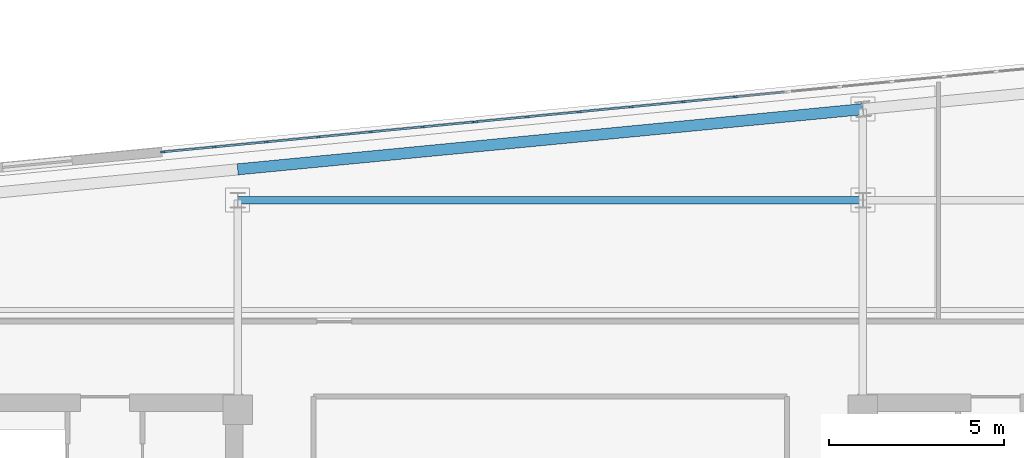
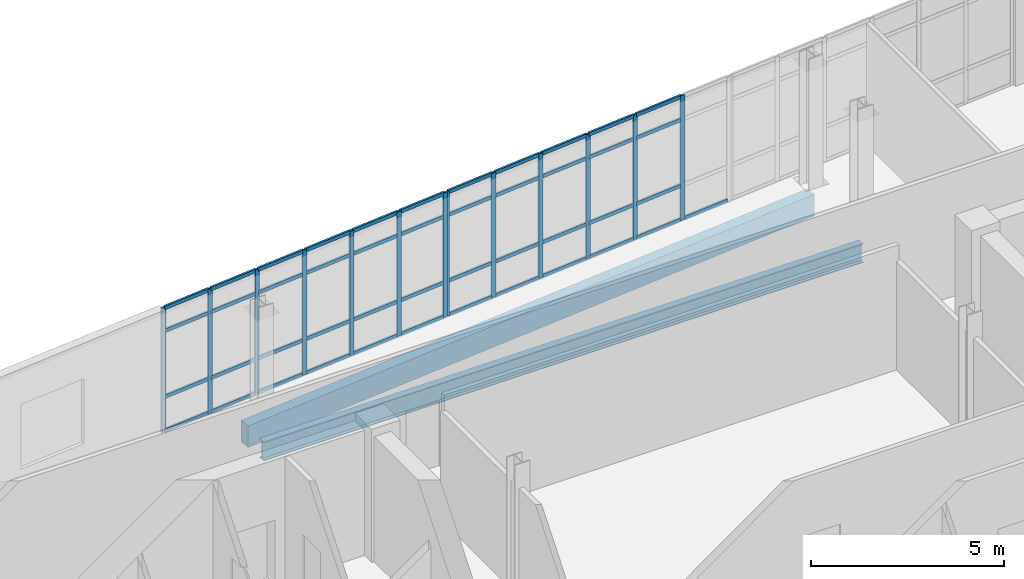
# One storey, part 3 of 11: 58 members, 2 beams, 2 elements without a shape of their own.
"""IFC4 building model written with IfcOpenShell, lengths in metres."""

from ifc_helpers import new_model, si_unit, direction, frame, origin, origin_2d, place, context, subcontext, project, spatial, rectangle, i_section, extrude, material, layer, layer_set, material_profile, profile_set, type_object, element, aggregate, save


model = new_model("IFC4")

# Units and contexts
model_context = context("Model", 3, precision=1e-05, world=origin(), true_north=direction((0.0, 1.0)))
body_context = subcontext(model_context, "Body", "Model", "MODEL_VIEW")
ifc_project = project(units=[si_unit("LENGTHUNIT", "METRE"), si_unit("AREAUNIT", "SQUARE_METRE"), si_unit("VOLUMEUNIT", "CUBIC_METRE"), si_unit("PLANEANGLEUNIT", "RADIAN"), si_unit("MASSUNIT", "GRAM", prefix="KILO")], contexts=[model_context])

# Site, building, storey
site_placement = place(None, origin())
site = spatial("IfcSite", under=ifc_project, at=site_placement, CompositionType="ELEMENT")
building_placement = place(site_placement, origin())
building = spatial("IfcBuilding", under=site, at=building_placement, Name="Velakula Bourse", CompositionType="ELEMENT")
storey_placement = place(building_placement, frame((0.0, 0.0, 282.75)))
storey = spatial("IfcBuildingStorey", under=building, at=storey_placement, Name="L77", CompositionType="ELEMENT", Elevation=282.75)

# Beam
ifc_material_1 = material(Name="Steel IS 2062 Grade 350 (E350)", Category="steel")
ifc_material_profile_1 = material_profile(ifc_material_1, i_section(OverallWidth=0.2099609375, OverallDepth=0.60009765625, WebThickness=0.011962890625, FlangeThickness=0.020751953125, at=origin_2d()), Name="Steel IS 2062 Grade 350 (E350)")
ifc_profile_set_1 = profile_set([ifc_material_profile_1], Name="Steel IS 2062 Grade 350 (E350)")
beam_type_1 = type_object("IfcBeamType", Name="BM-GRD-600L", PredefinedType="BEAM", material=ifc_profile_set_1)
beam_1_placement = place(storey_placement, frame((-8.949951171875, 14.60009765625, -0.47998046875), z_axis=(1.0, 0.0, 0.0), x_axis=(0.0, 1.0, 0.0)))
element("IfcBeam", 1, at=beam_1_placement, inside=storey, type_object=beam_type_1, Name="L77 Fulcrum Grid Girder FLC-N2", PredefinedType="BEAM", context=body_context, shape_type="SweptSolid", body=[
    extrude(i_section(OverallWidth=0.2099609375, OverallDepth=0.60009765625, WebThickness=0.011962890625, FlangeThickness=0.020751953125, at=origin_2d()), origin(), (0.0, 0.0, 1.0), 17.89990234375),
])

# Curtain wall, members
ifc_material_2 = material(Name="Anodised bronze architectural aluminium", Category="aluminium")
ifc_layer = layer(ifc_material_2, 0.1298828125, Name="Anodised bronze architectural aluminium", Category="aluminium")
ifc_layer_set = layer_set([ifc_layer], Name="Anodised bronze architectural aluminium")
curtain_wall_type = type_object("IfcCurtainWallType", Name="CW-OB1", PredefinedType="NOTDEFINED", material=ifc_layer_set)
curtain_wall_1_placement = place(storey_placement, origin())
curtain_wall_1 = element("IfcCurtainWall", 2, at=curtain_wall_1_placement, inside=storey, type_object=curtain_wall_type, Name="L77 Public Observation Panoramic Curtain Wall B2", PredefinedType="NOTDEFINED")
ifc_material_profile_2 = material_profile(ifc_material_2, rectangle(XDim=0.06005859375, YDim=0.1298828125, at=origin_2d()), Name="Anodised bronze architectural aluminium")
ifc_profile_set_2 = profile_set([ifc_material_profile_2], Name="Anodised bronze architectural aluminium")
member_type_1 = type_object("IfcMemberType", Name="MUL-CW-OB1", PredefinedType="MULLION", material=ifc_profile_set_2)
member_1_placement = place(storey_placement, frame((-11.090087890625, 15.978271484375, 0.0), z_axis=(0.0, 0.0, 1.0), x_axis=(-0.095845153814, 0.995396256016, 0.0)))
member_1 = element("IfcMember", 3, at=member_1_placement, type_object=member_type_1, Name="CW-OB1 mullion 1", PredefinedType="MULLION", context=body_context, shape_type="SweptSolid", body=[
    extrude(rectangle(XDim=0.06005859375, YDim=0.1298828125, at=origin_2d()), origin(), (0.0, 0.0, 1.0), 3.929931640625),
])
member_2_placement = place(storey_placement, frame((-9.626708984375, 16.119140625, 0.0), z_axis=(0.0, 0.0, 1.0), x_axis=(-0.095845153814, 0.995396256016, 0.0)))
member_2 = element("IfcMember", 4, at=member_2_placement, type_object=member_type_1, Name="CW-OB1 mullion 2", PredefinedType="MULLION", context=body_context, shape_type="SweptSolid", body=[
    extrude(rectangle(XDim=0.06005859375, YDim=0.1298828125, at=origin_2d()), origin(), (0.0, 0.0, 1.0), 3.929931640625),
])
member_3_placement = place(storey_placement, frame((-8.1337890625, 16.262939453125, 0.0), z_axis=(0.0, 0.0, 1.0), x_axis=(-0.095845153814, 0.995396256016, 0.0)))
member_3 = element("IfcMember", 5, at=member_3_placement, type_object=member_type_1, Name="CW-OB1 mullion 3", PredefinedType="MULLION", context=body_context, shape_type="SweptSolid", body=[
    extrude(rectangle(XDim=0.06005859375, YDim=0.1298828125, at=origin_2d()), origin(), (0.0, 0.0, 1.0), 3.929931640625),
])
member_4_placement = place(storey_placement, frame((-6.640625, 16.406494140625, 0.0), z_axis=(0.0, 0.0, 1.0), x_axis=(-0.095845153814, 0.995396256016, 0.0)))
member_4 = element("IfcMember", 6, at=member_4_placement, type_object=member_type_1, Name="CW-OB1 mullion 4", PredefinedType="MULLION", context=body_context, shape_type="SweptSolid", body=[
    extrude(rectangle(XDim=0.06005859375, YDim=0.1298828125, at=origin_2d()), origin(), (0.0, 0.0, 1.0), 3.929931640625),
])
member_5_placement = place(storey_placement, frame((-5.1474609375, 16.55029296875, 0.0), z_axis=(0.0, 0.0, 1.0), x_axis=(-0.095845153814, 0.995396256016, 0.0)))
member_5 = element("IfcMember", 7, at=member_5_placement, type_object=member_type_1, Name="CW-OB1 mullion 5", PredefinedType="MULLION", context=body_context, shape_type="SweptSolid", body=[
    extrude(rectangle(XDim=0.06005859375, YDim=0.1298828125, at=origin_2d()), origin(), (0.0, 0.0, 1.0), 3.929931640625),
])
member_6_placement = place(storey_placement, frame((-3.654541015625, 16.694091796875, 0.0), z_axis=(0.0, 0.0, 1.0), x_axis=(-0.095845153814, 0.995396256016, 0.0)))
member_6 = element("IfcMember", 8, at=member_6_placement, type_object=member_type_1, Name="CW-OB1 mullion 6", PredefinedType="MULLION", context=body_context, shape_type="SweptSolid", body=[
    extrude(rectangle(XDim=0.06005859375, YDim=0.1298828125, at=origin_2d()), origin(), (0.0, 0.0, 1.0), 3.929931640625),
])
member_7_placement = place(storey_placement, frame((-2.191162109375, 16.8349609375, 0.0), z_axis=(0.0, 0.0, 1.0), x_axis=(-0.095845153814, 0.995396256016, 0.0)))
member_7 = element("IfcMember", 9, at=member_7_placement, type_object=member_type_1, Name="CW-OB1 mullion 7", PredefinedType="MULLION", context=body_context, shape_type="SweptSolid", body=[
    extrude(rectangle(XDim=0.06005859375, YDim=0.1298828125, at=origin_2d()), origin(), (0.0, 0.0, 1.0), 3.929931640625),
])

curtain_wall_2_placement = place(storey_placement, origin())
curtain_wall_2 = element("IfcCurtainWall", 10, at=curtain_wall_2_placement, inside=storey, type_object=curtain_wall_type, Name="L77 Public Observation Panoramic Curtain Wall B3", PredefinedType="NOTDEFINED")
member_8_placement = place(storey_placement, frame((-2.131591796875, 16.8408203125, 0.0), z_axis=(0.0, 0.0, 1.0), x_axis=(-0.095844093769, 0.995396358085, 0.0)))
member_8 = element("IfcMember", 11, at=member_8_placement, type_object=member_type_1, Name="CW-OB1 mullion 1", PredefinedType="MULLION", context=body_context, shape_type="SweptSolid", body=[
    extrude(rectangle(XDim=0.06005859375, YDim=0.1298828125, at=origin_2d()), origin(), (0.0, 0.0, 1.0), 3.929931640625),
])
member_9_placement = place(storey_placement, frame((-0.668212890625, 16.981689453125, 0.0), z_axis=(0.0, 0.0, 1.0), x_axis=(-0.095844093769, 0.995396358085, 0.0)))
member_9 = element("IfcMember", 12, at=member_9_placement, type_object=member_type_1, Name="CW-OB1 mullion 2", PredefinedType="MULLION", context=body_context, shape_type="SweptSolid", body=[
    extrude(rectangle(XDim=0.06005859375, YDim=0.1298828125, at=origin_2d()), origin(), (0.0, 0.0, 1.0), 3.929931640625),
])
member_10_placement = place(storey_placement, frame((0.82470703125, 17.12548828125, 0.0), z_axis=(0.0, 0.0, 1.0), x_axis=(-0.095844093769, 0.995396358085, 0.0)))
member_10 = element("IfcMember", 13, at=member_10_placement, type_object=member_type_1, Name="CW-OB1 mullion 3", PredefinedType="MULLION", context=body_context, shape_type="SweptSolid", body=[
    extrude(rectangle(XDim=0.06005859375, YDim=0.1298828125, at=origin_2d()), origin(), (0.0, 0.0, 1.0), 3.929931640625),
])
member_11_placement = place(storey_placement, frame((2.31787109375, 17.269287109375, 0.0), z_axis=(0.0, 0.0, 1.0), x_axis=(-0.095844093769, 0.995396358085, 0.0)))
member_11 = element("IfcMember", 14, at=member_11_placement, type_object=member_type_1, Name="CW-OB1 mullion 4", PredefinedType="MULLION", context=body_context, shape_type="SweptSolid", body=[
    extrude(rectangle(XDim=0.06005859375, YDim=0.1298828125, at=origin_2d()), origin(), (0.0, 0.0, 1.0), 3.929931640625),
])
member_12_placement = place(storey_placement, frame((3.81103515625, 17.4130859375, 0.0), z_axis=(0.0, 0.0, 1.0), x_axis=(-0.095844093769, 0.995396358085, 0.0)))
member_12 = element("IfcMember", 15, at=member_12_placement, type_object=member_type_1, Name="CW-OB1 mullion 5", PredefinedType="MULLION", context=body_context, shape_type="SweptSolid", body=[
    extrude(rectangle(XDim=0.06005859375, YDim=0.1298828125, at=origin_2d()), origin(), (0.0, 0.0, 1.0), 3.929931640625),
])
member_13_placement = place(storey_placement, frame((5.30419921875, 17.556640625, 0.0), z_axis=(0.0, 0.0, 1.0), x_axis=(-0.095844093769, 0.995396358085, 0.0)))
member_13 = element("IfcMember", 16, at=member_13_placement, type_object=member_type_1, Name="CW-OB1 mullion 6", PredefinedType="MULLION", context=body_context, shape_type="SweptSolid", body=[
    extrude(rectangle(XDim=0.06005859375, YDim=0.1298828125, at=origin_2d()), origin(), (0.0, 0.0, 1.0), 3.929931640625),
])

# Beam
ifc_material_3 = material(Name="Precast concrete M45 (fck 45 MPa)", Category="concrete")
ifc_material_profile_3 = material_profile(ifc_material_3, rectangle(XDim=0.320068359375, YDim=0.679931640625, at=origin_2d()), Name="Precast concrete M45 (fck 45 MPa)")
ifc_profile_set_3 = profile_set([ifc_material_profile_3], Name="Precast concrete M45 (fck 45 MPa)")
beam_type_2 = type_object("IfcBeamType", Name="SPN-BRICK-680", PredefinedType="SPANDREL", material=ifc_profile_set_3)
beam_2_placement = place(storey_placement, frame((-8.949951171875, 15.48095703125, -0.52001953125), z_axis=(0.995395836254, 0.095849513134, 0.0), x_axis=(-0.095849513134, 0.995395836254, 0.0)))
element("IfcBeam", 17, at=beam_2_placement, inside=storey, type_object=beam_type_2, Name="L77 Brick-Faced Precast Spandrel N2-N3", PredefinedType="SPANDREL", context=body_context, shape_type="SweptSolid", body=[
    extrude(rectangle(XDim=0.320068359375, YDim=0.679931640625, at=origin_2d()), origin(), (0.0, 0.0, 1.0), 17.982666015625),
])

# Member
ifc_material_profile_4 = material_profile(ifc_material_2, rectangle(XDim=0.06005859375, YDim=0.114990234375, at=origin_2d()), Name="Anodised bronze architectural aluminium")
ifc_profile_set_4 = profile_set([ifc_material_profile_4], Name="Anodised bronze architectural aluminium")
member_type_2 = type_object("IfcMemberType", Name="TRN-CW-OB1", PredefinedType="USERDEFINED", material=ifc_profile_set_4)
member_14_placement = place(storey_placement, frame((-11.06005859375, 15.98095703125, 0.030029296875), z_axis=(0.995387428813, 0.095936784197, 0.0), x_axis=(-0.095936784197, 0.995387428813, 0.0)))
member_14 = element("IfcMember", 18, at=member_14_placement, type_object=member_type_2, Name="CW-OB1 transom 1.1", ObjectType="TRANSOM", PredefinedType="USERDEFINED", context=body_context, shape_type="SweptSolid", body=[
    extrude(rectangle(XDim=0.06005859375, YDim=0.114990234375, at=origin_2d()), origin(), (0.0, 0.0, 1.0), 1.409912109375),
])

member_15_placement = place(storey_placement, frame((-11.06005859375, 15.98095703125, 1.10009765625), z_axis=(0.995387428813, 0.095936784197, 0.0), x_axis=(-0.095936784197, 0.995387428813, 0.0)))
member_15 = element("IfcMember", 19, at=member_15_placement, type_object=member_type_2, Name="CW-OB1 transom 1.2", ObjectType="TRANSOM", PredefinedType="USERDEFINED", context=body_context, shape_type="SweptSolid", body=[
    extrude(rectangle(XDim=0.06005859375, YDim=0.114990234375, at=origin_2d()), origin(), (0.0, 0.0, 1.0), 1.409912109375),
])

member_16_placement = place(storey_placement, frame((-11.06005859375, 15.98095703125, 3.179931640625), z_axis=(0.995387428813, 0.095936784197, 0.0), x_axis=(-0.095936784197, 0.995387428813, 0.0)))
member_16 = element("IfcMember", 20, at=member_16_placement, type_object=member_type_2, Name="CW-OB1 transom 1.3", ObjectType="TRANSOM", PredefinedType="USERDEFINED", context=body_context, shape_type="SweptSolid", body=[
    extrude(rectangle(XDim=0.06005859375, YDim=0.114990234375, at=origin_2d()), origin(), (0.0, 0.0, 1.0), 1.409912109375),
])

member_17_placement = place(storey_placement, frame((-11.06005859375, 15.98095703125, 3.89990234375), z_axis=(0.995387428813, 0.095936784197, 0.0), x_axis=(-0.095936784197, 0.995387428813, 0.0)))
member_17 = element("IfcMember", 21, at=member_17_placement, type_object=member_type_2, Name="CW-OB1 transom 1.4", ObjectType="TRANSOM", PredefinedType="USERDEFINED", context=body_context, shape_type="SweptSolid", body=[
    extrude(rectangle(XDim=0.06005859375, YDim=0.114990234375, at=origin_2d()), origin(), (0.0, 0.0, 1.0), 1.409912109375),
])

member_18_placement = place(storey_placement, frame((-9.596923828125, 16.121826171875, 0.030029296875), z_axis=(0.995385079392, 0.095961157373, 0.0), x_axis=(-0.095961157373, 0.995385079392, 0.0)))
member_18 = element("IfcMember", 22, at=member_18_placement, type_object=member_type_2, Name="CW-OB1 transom 2.1", ObjectType="TRANSOM", PredefinedType="USERDEFINED", context=body_context, shape_type="SweptSolid", body=[
    extrude(rectangle(XDim=0.06005859375, YDim=0.114990234375, at=origin_2d()), origin(), (0.0, 0.0, 1.0), 1.43994140625),
])

member_19_placement = place(storey_placement, frame((-9.596923828125, 16.121826171875, 1.10009765625), z_axis=(0.995385079392, 0.095961157373, 0.0), x_axis=(-0.095961157373, 0.995385079392, 0.0)))
member_19 = element("IfcMember", 23, at=member_19_placement, type_object=member_type_2, Name="CW-OB1 transom 2.2", ObjectType="TRANSOM", PredefinedType="USERDEFINED", context=body_context, shape_type="SweptSolid", body=[
    extrude(rectangle(XDim=0.06005859375, YDim=0.114990234375, at=origin_2d()), origin(), (0.0, 0.0, 1.0), 1.43994140625),
])

member_20_placement = place(storey_placement, frame((-9.596923828125, 16.121826171875, 3.179931640625), z_axis=(0.995385079392, 0.095961157373, 0.0), x_axis=(-0.095961157373, 0.995385079392, 0.0)))
member_20 = element("IfcMember", 24, at=member_20_placement, type_object=member_type_2, Name="CW-OB1 transom 2.3", ObjectType="TRANSOM", PredefinedType="USERDEFINED", context=body_context, shape_type="SweptSolid", body=[
    extrude(rectangle(XDim=0.06005859375, YDim=0.114990234375, at=origin_2d()), origin(), (0.0, 0.0, 1.0), 1.43994140625),
])

member_21_placement = place(storey_placement, frame((-9.596923828125, 16.121826171875, 3.89990234375), z_axis=(0.995385079392, 0.095961157373, 0.0), x_axis=(-0.095961157373, 0.995385079392, 0.0)))
member_21 = element("IfcMember", 25, at=member_21_placement, type_object=member_type_2, Name="CW-OB1 transom 2.4", ObjectType="TRANSOM", PredefinedType="USERDEFINED", context=body_context, shape_type="SweptSolid", body=[
    extrude(rectangle(XDim=0.06005859375, YDim=0.114990234375, at=origin_2d()), origin(), (0.0, 0.0, 1.0), 1.43994140625),
])

member_22_placement = place(storey_placement, frame((-8.103759765625, 16.265625, 0.030029296875), z_axis=(0.995385079392, 0.095961157373, 0.0), x_axis=(-0.095961157373, 0.995385079392, 0.0)))
member_22 = element("IfcMember", 26, at=member_22_placement, type_object=member_type_2, Name="CW-OB1 transom 3.1", ObjectType="TRANSOM", PredefinedType="USERDEFINED", context=body_context, shape_type="SweptSolid", body=[
    extrude(rectangle(XDim=0.06005859375, YDim=0.114990234375, at=origin_2d()), origin(), (0.0, 0.0, 1.0), 1.43994140625),
])

member_23_placement = place(storey_placement, frame((-8.103759765625, 16.265625, 1.10009765625), z_axis=(0.995385079392, 0.095961157373, 0.0), x_axis=(-0.095961157373, 0.995385079392, 0.0)))
member_23 = element("IfcMember", 27, at=member_23_placement, type_object=member_type_2, Name="CW-OB1 transom 3.2", ObjectType="TRANSOM", PredefinedType="USERDEFINED", context=body_context, shape_type="SweptSolid", body=[
    extrude(rectangle(XDim=0.06005859375, YDim=0.114990234375, at=origin_2d()), origin(), (0.0, 0.0, 1.0), 1.43994140625),
])

member_24_placement = place(storey_placement, frame((-8.103759765625, 16.265625, 3.179931640625), z_axis=(0.995385079392, 0.095961157373, 0.0), x_axis=(-0.095961157373, 0.995385079392, 0.0)))
member_24 = element("IfcMember", 28, at=member_24_placement, type_object=member_type_2, Name="CW-OB1 transom 3.3", ObjectType="TRANSOM", PredefinedType="USERDEFINED", context=body_context, shape_type="SweptSolid", body=[
    extrude(rectangle(XDim=0.06005859375, YDim=0.114990234375, at=origin_2d()), origin(), (0.0, 0.0, 1.0), 1.43994140625),
])

member_25_placement = place(storey_placement, frame((-8.103759765625, 16.265625, 3.89990234375), z_axis=(0.995385079392, 0.095961157373, 0.0), x_axis=(-0.095961157373, 0.995385079392, 0.0)))
member_25 = element("IfcMember", 29, at=member_25_placement, type_object=member_type_2, Name="CW-OB1 transom 3.4", ObjectType="TRANSOM", PredefinedType="USERDEFINED", context=body_context, shape_type="SweptSolid", body=[
    extrude(rectangle(XDim=0.06005859375, YDim=0.114990234375, at=origin_2d()), origin(), (0.0, 0.0, 1.0), 1.43994140625),
])

member_26_placement = place(storey_placement, frame((-6.61083984375, 16.409423828125, 0.030029296875), z_axis=(0.995385079392, 0.095961157373, 0.0), x_axis=(-0.095961157373, 0.995385079392, 0.0)))
member_26 = element("IfcMember", 30, at=member_26_placement, type_object=member_type_2, Name="CW-OB1 transom 4.1", ObjectType="TRANSOM", PredefinedType="USERDEFINED", context=body_context, shape_type="SweptSolid", body=[
    extrude(rectangle(XDim=0.06005859375, YDim=0.114990234375, at=origin_2d()), origin(), (0.0, 0.0, 1.0), 1.43994140625),
])

member_27_placement = place(storey_placement, frame((-6.61083984375, 16.409423828125, 1.10009765625), z_axis=(0.995385079392, 0.095961157373, 0.0), x_axis=(-0.095961157373, 0.995385079392, 0.0)))
member_27 = element("IfcMember", 31, at=member_27_placement, type_object=member_type_2, Name="CW-OB1 transom 4.2", ObjectType="TRANSOM", PredefinedType="USERDEFINED", context=body_context, shape_type="SweptSolid", body=[
    extrude(rectangle(XDim=0.06005859375, YDim=0.114990234375, at=origin_2d()), origin(), (0.0, 0.0, 1.0), 1.43994140625),
])

member_28_placement = place(storey_placement, frame((-6.61083984375, 16.409423828125, 3.179931640625), z_axis=(0.995385079392, 0.095961157373, 0.0), x_axis=(-0.095961157373, 0.995385079392, 0.0)))
member_28 = element("IfcMember", 32, at=member_28_placement, type_object=member_type_2, Name="CW-OB1 transom 4.3", ObjectType="TRANSOM", PredefinedType="USERDEFINED", context=body_context, shape_type="SweptSolid", body=[
    extrude(rectangle(XDim=0.06005859375, YDim=0.114990234375, at=origin_2d()), origin(), (0.0, 0.0, 1.0), 1.43994140625),
])

member_29_placement = place(storey_placement, frame((-6.61083984375, 16.409423828125, 3.89990234375), z_axis=(0.995385079392, 0.095961157373, 0.0), x_axis=(-0.095961157373, 0.995385079392, 0.0)))
member_29 = element("IfcMember", 33, at=member_29_placement, type_object=member_type_2, Name="CW-OB1 transom 4.4", ObjectType="TRANSOM", PredefinedType="USERDEFINED", context=body_context, shape_type="SweptSolid", body=[
    extrude(rectangle(XDim=0.06005859375, YDim=0.114990234375, at=origin_2d()), origin(), (0.0, 0.0, 1.0), 1.43994140625),
])

member_30_placement = place(storey_placement, frame((-5.11767578125, 16.55322265625, 0.030029296875), z_axis=(0.99540125991, 0.095793171836, 0.0), x_axis=(-0.095793171836, 0.99540125991, 0.0)))
member_30 = element("IfcMember", 34, at=member_30_placement, type_object=member_type_2, Name="CW-OB1 transom 5.1", ObjectType="TRANSOM", PredefinedType="USERDEFINED", context=body_context, shape_type="SweptSolid", body=[
    extrude(rectangle(XDim=0.06005859375, YDim=0.114990234375, at=origin_2d()), origin(), (0.0, 0.0, 1.0), 1.43994140625),
])

member_31_placement = place(storey_placement, frame((-5.11767578125, 16.55322265625, 1.10009765625), z_axis=(0.99540125991, 0.095793171836, 0.0), x_axis=(-0.095793171836, 0.99540125991, 0.0)))
member_31 = element("IfcMember", 35, at=member_31_placement, type_object=member_type_2, Name="CW-OB1 transom 5.2", ObjectType="TRANSOM", PredefinedType="USERDEFINED", context=body_context, shape_type="SweptSolid", body=[
    extrude(rectangle(XDim=0.06005859375, YDim=0.114990234375, at=origin_2d()), origin(), (0.0, 0.0, 1.0), 1.43994140625),
])

member_32_placement = place(storey_placement, frame((-5.11767578125, 16.55322265625, 3.179931640625), z_axis=(0.99540125991, 0.095793171836, 0.0), x_axis=(-0.095793171836, 0.99540125991, 0.0)))
member_32 = element("IfcMember", 36, at=member_32_placement, type_object=member_type_2, Name="CW-OB1 transom 5.3", ObjectType="TRANSOM", PredefinedType="USERDEFINED", context=body_context, shape_type="SweptSolid", body=[
    extrude(rectangle(XDim=0.06005859375, YDim=0.114990234375, at=origin_2d()), origin(), (0.0, 0.0, 1.0), 1.43994140625),
])

member_33_placement = place(storey_placement, frame((-5.11767578125, 16.55322265625, 3.89990234375), z_axis=(0.99540125991, 0.095793171836, 0.0), x_axis=(-0.095793171836, 0.99540125991, 0.0)))
member_33 = element("IfcMember", 37, at=member_33_placement, type_object=member_type_2, Name="CW-OB1 transom 5.4", ObjectType="TRANSOM", PredefinedType="USERDEFINED", context=body_context, shape_type="SweptSolid", body=[
    extrude(rectangle(XDim=0.06005859375, YDim=0.114990234375, at=origin_2d()), origin(), (0.0, 0.0, 1.0), 1.43994140625),
])

member_34_placement = place(storey_placement, frame((-3.62451171875, 16.697021484375, 0.030029296875), z_axis=(0.995403951146, 0.095765202676, 0.0), x_axis=(-0.095765202676, 0.995403951146, 0.0)))
member_34 = element("IfcMember", 38, at=member_34_placement, type_object=member_type_2, Name="CW-OB1 transom 6.1", ObjectType="TRANSOM", PredefinedType="USERDEFINED", context=body_context, shape_type="SweptSolid", body=[
    extrude(rectangle(XDim=0.06005859375, YDim=0.114990234375, at=origin_2d()), origin(), (0.0, 0.0, 1.0), 1.409912109375),
])

member_35_placement = place(storey_placement, frame((-3.62451171875, 16.697021484375, 1.10009765625), z_axis=(0.995403951146, 0.095765202676, 0.0), x_axis=(-0.095765202676, 0.995403951146, 0.0)))
member_35 = element("IfcMember", 39, at=member_35_placement, type_object=member_type_2, Name="CW-OB1 transom 6.2", ObjectType="TRANSOM", PredefinedType="USERDEFINED", context=body_context, shape_type="SweptSolid", body=[
    extrude(rectangle(XDim=0.06005859375, YDim=0.114990234375, at=origin_2d()), origin(), (0.0, 0.0, 1.0), 1.409912109375),
])

member_36_placement = place(storey_placement, frame((-3.62451171875, 16.697021484375, 3.179931640625), z_axis=(0.995403951146, 0.095765202676, 0.0), x_axis=(-0.095765202676, 0.995403951146, 0.0)))
member_36 = element("IfcMember", 40, at=member_36_placement, type_object=member_type_2, Name="CW-OB1 transom 6.3", ObjectType="TRANSOM", PredefinedType="USERDEFINED", context=body_context, shape_type="SweptSolid", body=[
    extrude(rectangle(XDim=0.06005859375, YDim=0.114990234375, at=origin_2d()), origin(), (0.0, 0.0, 1.0), 1.409912109375),
])

member_37_placement = place(storey_placement, frame((-3.62451171875, 16.697021484375, 3.89990234375), z_axis=(0.995403951146, 0.095765202676, 0.0), x_axis=(-0.095765202676, 0.995403951146, 0.0)))
member_37 = element("IfcMember", 41, at=member_37_placement, type_object=member_type_2, Name="CW-OB1 transom 6.4", ObjectType="TRANSOM", PredefinedType="USERDEFINED", context=body_context, shape_type="SweptSolid", body=[
    extrude(rectangle(XDim=0.06005859375, YDim=0.114990234375, at=origin_2d()), origin(), (0.0, 0.0, 1.0), 1.409912109375),
])

aggregate(curtain_wall_1, [member_1, member_2, member_3, member_4, member_5, member_6, member_7, member_14, member_15, member_16, member_17, member_18, member_19, member_20, member_21, member_22, member_23, member_24, member_25, member_26, member_27, member_28, member_29, member_30, member_31, member_32, member_33, member_34, member_35, member_36, member_37])

member_38_placement = place(storey_placement, frame((-2.1015625, 16.84375, 0.030029296875), z_axis=(0.995403951146, 0.095765202676, 0.0), x_axis=(-0.095765202676, 0.995403951146, 0.0)))
member_38 = element("IfcMember", 42, at=member_38_placement, type_object=member_type_2, Name="CW-OB1 transom 1.1", ObjectType="TRANSOM", PredefinedType="USERDEFINED", context=body_context, shape_type="SweptSolid", body=[
    extrude(rectangle(XDim=0.06005859375, YDim=0.114990234375, at=origin_2d()), origin(), (0.0, 0.0, 1.0), 1.409912109375),
])

member_39_placement = place(storey_placement, frame((-2.1015625, 16.84375, 1.10009765625), z_axis=(0.995403951146, 0.095765202676, 0.0), x_axis=(-0.095765202676, 0.995403951146, 0.0)))
member_39 = element("IfcMember", 43, at=member_39_placement, type_object=member_type_2, Name="CW-OB1 transom 1.2", ObjectType="TRANSOM", PredefinedType="USERDEFINED", context=body_context, shape_type="SweptSolid", body=[
    extrude(rectangle(XDim=0.06005859375, YDim=0.114990234375, at=origin_2d()), origin(), (0.0, 0.0, 1.0), 1.409912109375),
])

member_40_placement = place(storey_placement, frame((-2.1015625, 16.84375, 3.179931640625), z_axis=(0.995403951146, 0.095765202676, 0.0), x_axis=(-0.095765202676, 0.995403951146, 0.0)))
member_40 = element("IfcMember", 44, at=member_40_placement, type_object=member_type_2, Name="CW-OB1 transom 1.3", ObjectType="TRANSOM", PredefinedType="USERDEFINED", context=body_context, shape_type="SweptSolid", body=[
    extrude(rectangle(XDim=0.06005859375, YDim=0.114990234375, at=origin_2d()), origin(), (0.0, 0.0, 1.0), 1.409912109375),
])

member_41_placement = place(storey_placement, frame((-2.1015625, 16.84375, 3.89990234375), z_axis=(0.995403951146, 0.095765202676, 0.0), x_axis=(-0.095765202676, 0.995403951146, 0.0)))
member_41 = element("IfcMember", 45, at=member_41_placement, type_object=member_type_2, Name="CW-OB1 transom 1.4", ObjectType="TRANSOM", PredefinedType="USERDEFINED", context=body_context, shape_type="SweptSolid", body=[
    extrude(rectangle(XDim=0.06005859375, YDim=0.114990234375, at=origin_2d()), origin(), (0.0, 0.0, 1.0), 1.409912109375),
])

member_42_placement = place(storey_placement, frame((-0.638427734375, 16.984619140625, 0.030029296875), z_axis=(0.99540125991, 0.095793171836, 0.0), x_axis=(-0.095793171836, 0.99540125991, 0.0)))
member_42 = element("IfcMember", 46, at=member_42_placement, type_object=member_type_2, Name="CW-OB1 transom 2.1", ObjectType="TRANSOM", PredefinedType="USERDEFINED", context=body_context, shape_type="SweptSolid", body=[
    extrude(rectangle(XDim=0.06005859375, YDim=0.114990234375, at=origin_2d()), origin(), (0.0, 0.0, 1.0), 1.43994140625),
])

member_43_placement = place(storey_placement, frame((-0.638427734375, 16.984619140625, 1.10009765625), z_axis=(0.99540125991, 0.095793171836, 0.0), x_axis=(-0.095793171836, 0.99540125991, 0.0)))
member_43 = element("IfcMember", 47, at=member_43_placement, type_object=member_type_2, Name="CW-OB1 transom 2.2", ObjectType="TRANSOM", PredefinedType="USERDEFINED", context=body_context, shape_type="SweptSolid", body=[
    extrude(rectangle(XDim=0.06005859375, YDim=0.114990234375, at=origin_2d()), origin(), (0.0, 0.0, 1.0), 1.43994140625),
])

member_44_placement = place(storey_placement, frame((-0.638427734375, 16.984619140625, 3.179931640625), z_axis=(0.99540125991, 0.095793171836, 0.0), x_axis=(-0.095793171836, 0.99540125991, 0.0)))
member_44 = element("IfcMember", 48, at=member_44_placement, type_object=member_type_2, Name="CW-OB1 transom 2.3", ObjectType="TRANSOM", PredefinedType="USERDEFINED", context=body_context, shape_type="SweptSolid", body=[
    extrude(rectangle(XDim=0.06005859375, YDim=0.114990234375, at=origin_2d()), origin(), (0.0, 0.0, 1.0), 1.43994140625),
])

member_45_placement = place(storey_placement, frame((-0.638427734375, 16.984619140625, 3.89990234375), z_axis=(0.99540125991, 0.095793171836, 0.0), x_axis=(-0.095793171836, 0.99540125991, 0.0)))
member_45 = element("IfcMember", 49, at=member_45_placement, type_object=member_type_2, Name="CW-OB1 transom 2.4", ObjectType="TRANSOM", PredefinedType="USERDEFINED", context=body_context, shape_type="SweptSolid", body=[
    extrude(rectangle(XDim=0.06005859375, YDim=0.114990234375, at=origin_2d()), origin(), (0.0, 0.0, 1.0), 1.43994140625),
])

member_46_placement = place(storey_placement, frame((0.854736328125, 17.12841796875, 0.030029296875), z_axis=(0.99540125991, 0.095793171836, 0.0), x_axis=(-0.095793171836, 0.99540125991, 0.0)))
member_46 = element("IfcMember", 50, at=member_46_placement, type_object=member_type_2, Name="CW-OB1 transom 3.1", ObjectType="TRANSOM", PredefinedType="USERDEFINED", context=body_context, shape_type="SweptSolid", body=[
    extrude(rectangle(XDim=0.06005859375, YDim=0.114990234375, at=origin_2d()), origin(), (0.0, 0.0, 1.0), 1.43994140625),
])

member_47_placement = place(storey_placement, frame((0.854736328125, 17.12841796875, 1.10009765625), z_axis=(0.99540125991, 0.095793171836, 0.0), x_axis=(-0.095793171836, 0.99540125991, 0.0)))
member_47 = element("IfcMember", 51, at=member_47_placement, type_object=member_type_2, Name="CW-OB1 transom 3.2", ObjectType="TRANSOM", PredefinedType="USERDEFINED", context=body_context, shape_type="SweptSolid", body=[
    extrude(rectangle(XDim=0.06005859375, YDim=0.114990234375, at=origin_2d()), origin(), (0.0, 0.0, 1.0), 1.43994140625),
])

member_48_placement = place(storey_placement, frame((0.854736328125, 17.12841796875, 3.179931640625), z_axis=(0.99540125991, 0.095793171836, 0.0), x_axis=(-0.095793171836, 0.99540125991, 0.0)))
member_48 = element("IfcMember", 52, at=member_48_placement, type_object=member_type_2, Name="CW-OB1 transom 3.3", ObjectType="TRANSOM", PredefinedType="USERDEFINED", context=body_context, shape_type="SweptSolid", body=[
    extrude(rectangle(XDim=0.06005859375, YDim=0.114990234375, at=origin_2d()), origin(), (0.0, 0.0, 1.0), 1.43994140625),
])

member_49_placement = place(storey_placement, frame((0.854736328125, 17.12841796875, 3.89990234375), z_axis=(0.99540125991, 0.095793171836, 0.0), x_axis=(-0.095793171836, 0.99540125991, 0.0)))
member_49 = element("IfcMember", 53, at=member_49_placement, type_object=member_type_2, Name="CW-OB1 transom 3.4", ObjectType="TRANSOM", PredefinedType="USERDEFINED", context=body_context, shape_type="SweptSolid", body=[
    extrude(rectangle(XDim=0.06005859375, YDim=0.114990234375, at=origin_2d()), origin(), (0.0, 0.0, 1.0), 1.43994140625),
])

member_50_placement = place(storey_placement, frame((2.34765625, 17.27197265625, 0.030029296875), z_axis=(0.995386640238, 0.095944965663, 0.0), x_axis=(-0.095944965663, 0.995386640238, 0.0)))
member_50 = element("IfcMember", 54, at=member_50_placement, type_object=member_type_2, Name="CW-OB1 transom 4.1", ObjectType="TRANSOM", PredefinedType="USERDEFINED", context=body_context, shape_type="SweptSolid", body=[
    extrude(rectangle(XDim=0.06005859375, YDim=0.114990234375, at=origin_2d()), origin(), (0.0, 0.0, 1.0), 1.440185546875),
])

member_51_placement = place(storey_placement, frame((2.34765625, 17.27197265625, 1.10009765625), z_axis=(0.995386640238, 0.095944965663, 0.0), x_axis=(-0.095944965663, 0.995386640238, 0.0)))
member_51 = element("IfcMember", 55, at=member_51_placement, type_object=member_type_2, Name="CW-OB1 transom 4.2", ObjectType="TRANSOM", PredefinedType="USERDEFINED", context=body_context, shape_type="SweptSolid", body=[
    extrude(rectangle(XDim=0.06005859375, YDim=0.114990234375, at=origin_2d()), origin(), (0.0, 0.0, 1.0), 1.440185546875),
])

member_52_placement = place(storey_placement, frame((2.34765625, 17.27197265625, 3.179931640625), z_axis=(0.995386640238, 0.095944965663, 0.0), x_axis=(-0.095944965663, 0.995386640238, 0.0)))
member_52 = element("IfcMember", 56, at=member_52_placement, type_object=member_type_2, Name="CW-OB1 transom 4.3", ObjectType="TRANSOM", PredefinedType="USERDEFINED", context=body_context, shape_type="SweptSolid", body=[
    extrude(rectangle(XDim=0.06005859375, YDim=0.114990234375, at=origin_2d()), origin(), (0.0, 0.0, 1.0), 1.440185546875),
])

member_53_placement = place(storey_placement, frame((2.34765625, 17.27197265625, 3.89990234375), z_axis=(0.995386640238, 0.095944965663, 0.0), x_axis=(-0.095944965663, 0.995386640238, 0.0)))
member_53 = element("IfcMember", 57, at=member_53_placement, type_object=member_type_2, Name="CW-OB1 transom 4.4", ObjectType="TRANSOM", PredefinedType="USERDEFINED", context=body_context, shape_type="SweptSolid", body=[
    extrude(rectangle(XDim=0.06005859375, YDim=0.114990234375, at=origin_2d()), origin(), (0.0, 0.0, 1.0), 1.440185546875),
])

member_54_placement = place(storey_placement, frame((3.8408203125, 17.415771484375, 0.030029296875), z_axis=(0.995385079392, 0.095961157373, 0.0), x_axis=(-0.095961157373, 0.995385079392, 0.0)))
member_54 = element("IfcMember", 58, at=member_54_placement, type_object=member_type_2, Name="CW-OB1 transom 5.1", ObjectType="TRANSOM", PredefinedType="USERDEFINED", context=body_context, shape_type="SweptSolid", body=[
    extrude(rectangle(XDim=0.06005859375, YDim=0.114990234375, at=origin_2d()), origin(), (0.0, 0.0, 1.0), 1.43994140625),
])

member_55_placement = place(storey_placement, frame((3.8408203125, 17.415771484375, 1.10009765625), z_axis=(0.995385079392, 0.095961157373, 0.0), x_axis=(-0.095961157373, 0.995385079392, 0.0)))
member_55 = element("IfcMember", 59, at=member_55_placement, type_object=member_type_2, Name="CW-OB1 transom 5.2", ObjectType="TRANSOM", PredefinedType="USERDEFINED", context=body_context, shape_type="SweptSolid", body=[
    extrude(rectangle(XDim=0.06005859375, YDim=0.114990234375, at=origin_2d()), origin(), (0.0, 0.0, 1.0), 1.43994140625),
])

member_56_placement = place(storey_placement, frame((3.8408203125, 17.415771484375, 3.179931640625), z_axis=(0.995385079392, 0.095961157373, 0.0), x_axis=(-0.095961157373, 0.995385079392, 0.0)))
member_56 = element("IfcMember", 60, at=member_56_placement, type_object=member_type_2, Name="CW-OB1 transom 5.3", ObjectType="TRANSOM", PredefinedType="USERDEFINED", context=body_context, shape_type="SweptSolid", body=[
    extrude(rectangle(XDim=0.06005859375, YDim=0.114990234375, at=origin_2d()), origin(), (0.0, 0.0, 1.0), 1.43994140625),
])

member_57_placement = place(storey_placement, frame((3.8408203125, 17.415771484375, 3.89990234375), z_axis=(0.995385079392, 0.095961157373, 0.0), x_axis=(-0.095961157373, 0.995385079392, 0.0)))
member_57 = element("IfcMember", 61, at=member_57_placement, type_object=member_type_2, Name="CW-OB1 transom 5.4", ObjectType="TRANSOM", PredefinedType="USERDEFINED", context=body_context, shape_type="SweptSolid", body=[
    extrude(rectangle(XDim=0.06005859375, YDim=0.114990234375, at=origin_2d()), origin(), (0.0, 0.0, 1.0), 1.43994140625),
])

member_58_placement = place(storey_placement, frame((5.333984375, 17.5595703125, 0.030029296875), z_axis=(0.995389022244, 0.095920250187, 0.0), x_axis=(-0.095920250187, 0.995389022244, 0.0)))
member_58 = element("IfcMember", 62, at=member_58_placement, type_object=member_type_2, Name="CW-OB1 transom 6.1", ObjectType="TRANSOM", PredefinedType="USERDEFINED", context=body_context, shape_type="SweptSolid", body=[
    extrude(rectangle(XDim=0.06005859375, YDim=0.114990234375, at=origin_2d()), origin(), (0.0, 0.0, 1.0), 1.41015625),
])

aggregate(curtain_wall_2, [member_8, member_9, member_10, member_11, member_12, member_13, member_38, member_39, member_40, member_41, member_42, member_43, member_44, member_45, member_46, member_47, member_48, member_49, member_50, member_51, member_52, member_53, member_54, member_55, member_56, member_57, member_58])

save(model, "model.ifc")
